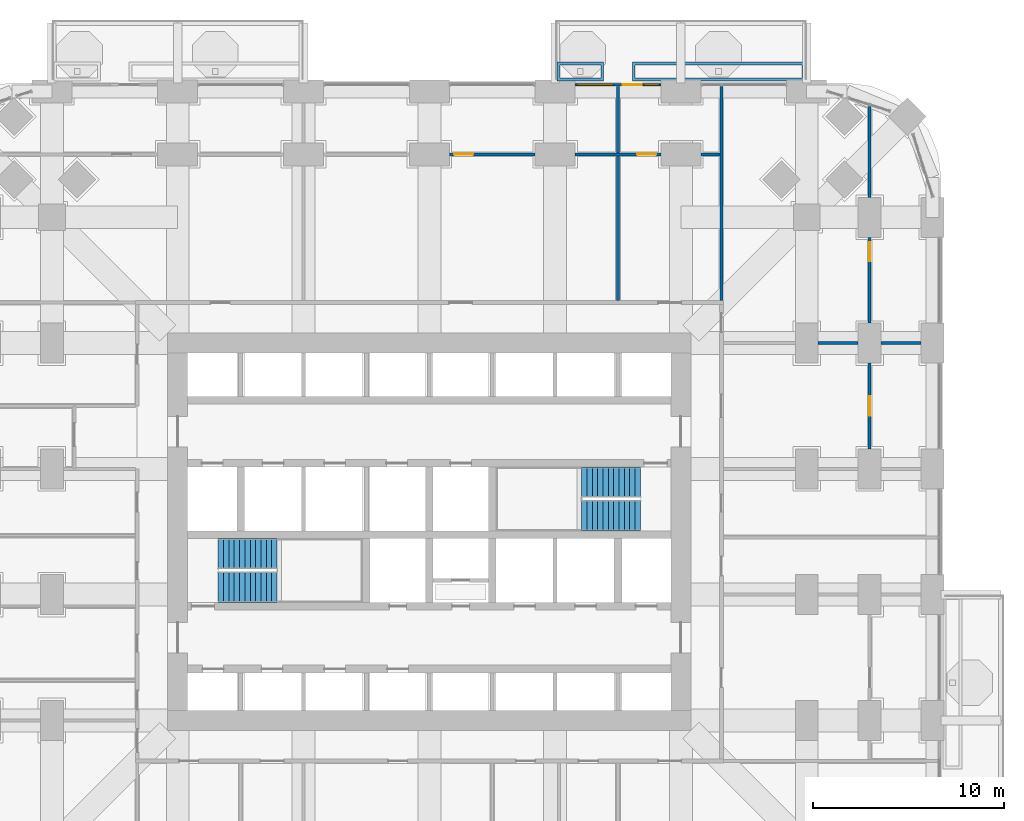
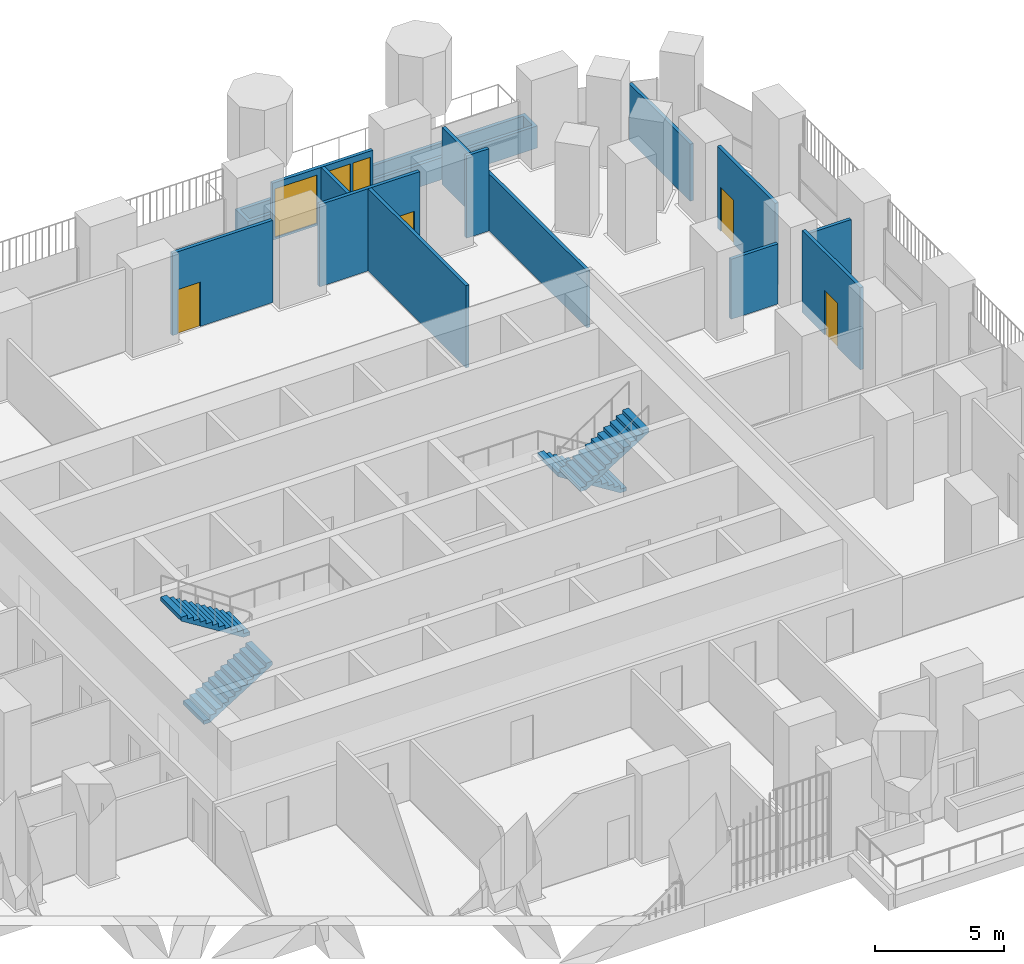
# One storey, part 22 of 27: 14 walls, 5 doors, 4 stair flights, 2 windows, 7 openings, 2 elements without a shape of their own.
"""IFC4 building model written with IfcOpenShell, lengths in metres."""

from ifc_helpers import new_model, si_unit, direction, frame, frame_2d, origin, place, context, subcontext, project, spatial, polyline, rectangle, outline, extrude, material, layer, layer_set, type_object, element, fill, aggregate, save


model = new_model("IFC4")

# Units and contexts
model_context = context("Model", 3, precision=1e-05, world=origin(), true_north=direction((0.0, 1.0)))
body_context = subcontext(model_context, "Body", "Model", "MODEL_VIEW")
ifc_project = project(units=[si_unit("LENGTHUNIT", "METRE"), si_unit("AREAUNIT", "SQUARE_METRE"), si_unit("VOLUMEUNIT", "CUBIC_METRE"), si_unit("PLANEANGLEUNIT", "RADIAN"), si_unit("MASSUNIT", "GRAM", prefix="KILO")], contexts=[model_context])

# Site, building, storey
site_placement = place(None, origin())
site = spatial("IfcSite", under=ifc_project, at=site_placement, CompositionType="ELEMENT")
building_placement = place(site_placement, origin())
building = spatial("IfcBuilding", under=site, at=building_placement, Name="Cobogo Forest Laboratory Tower", CompositionType="ELEMENT")
storey_placement = place(building_placement, frame((0.0, 0.0, 46.5)))
storey = spatial("IfcBuildingStorey", under=building, at=storey_placement, Name="L10", CompositionType="ELEMENT", Elevation=46.5)

# Wall, openings, door, windows
ifc_material_1 = material(Name="Aluminium framed glazed screen", Category="aluminium")
ifc_layer_1 = layer(ifc_material_1, 0.14990234375)
ifc_layer_set_1 = layer_set([ifc_layer_1], Name="GS1 glazed door screen 150")
wall_type_1 = type_object("IfcWallType", Name="GS1 glazed door screen 150", PredefinedType="SOLIDWALL", material=ifc_layer_set_1)
wall_1_placement = place(storey_placement, frame((38.550048828125, 46.550048828125, 0.0), z_axis=(0.0, 0.0, 1.0), x_axis=(-1.0, 0.0, 0.0)))
wall_1 = element("IfcWall", 1, at=wall_1_placement, inside=storey, type_object=wall_type_1, Name="Door screen BAL-N2 L10", PredefinedType="SOLIDWALL", context=body_context, shape_type="SweptSolid", body=[
    extrude(rectangle(XDim=4.5, YDim=0.14990234375, at=frame_2d((2.25, 0.0))), origin(), (0.0, 0.0, 1.0), 2.699951171875),
])
opening_1_placement = place(wall_1_placement, frame((1.0, 0.0, 0.0)))
opening_1 = element("IfcOpeningElement", 2, at=opening_1_placement, cuts=wall_1, Name="Opening L10-D49", PredefinedType="OPENING", context=body_context, shape_type="SweptSolid", body=[
    extrude(rectangle(XDim=1.0, YDim=2.39990234375, at=frame_2d((0.5, 1.199951171875))), frame((0.0, 0.0849609375, 0.0), z_axis=(0.0, -1.0, 0.0), x_axis=(1.0, 0.0, 0.0)), (0.0, 0.0, 1.0), 0.169921875),
])
opening_2_placement = place(wall_1_placement, frame((0.10009765625, 0.0, 0.10009765625)))
opening_2 = element("IfcOpeningElement", 3, at=opening_2_placement, cuts=wall_1, Name="Opening L10-W12", PredefinedType="OPENING", context=body_context, shape_type="SweptSolid", body=[
    extrude(rectangle(XDim=0.800048828125, YDim=2.300048828125, at=frame_2d((0.39990234375, 1.14990234375))), frame((0.0, 0.0849609375, 0.0), z_axis=(0.0, -1.0, 0.0), x_axis=(1.0, 0.0, 0.0)), (0.0, 0.0, 1.0), 0.169921875),
])
opening_3_placement = place(wall_1_placement, frame((2.5, 0.0, 0.10009765625)))
opening_3 = element("IfcOpeningElement", 4, at=opening_3_placement, cuts=wall_1, Name="Opening L10-W11", PredefinedType="OPENING", context=body_context, shape_type="SweptSolid", body=[
    extrude(rectangle(XDim=1.89990234375, YDim=2.300048828125, at=frame_2d((0.949951171875, 1.14990234375))), frame((0.0, 0.0849609375, 0.0), z_axis=(0.0, -1.0, 0.0), x_axis=(1.0, 0.0, 0.0)), (0.0, 0.0, 1.0), 0.169921875),
])
ifc_material_2 = material(Name="Aluminium glazed door", Category="aluminium")
door_type_1 = type_object("IfcDoorType", Name="DB1 balcony door 1000 glazed", OperationType="SINGLE_SWING_LEFT", PredefinedType="DOOR", material=ifc_material_2)
door_1_placement = place(opening_1_placement, origin())
door_1 = element("IfcDoor", 5, at=door_1_placement, inside=storey, type_object=door_type_1, Name="Door L10-BAL-N2", OperationType="SINGLE_SWING_LEFT", OverallHeight=2.39990234375, OverallWidth=1.0, PredefinedType="DOOR", context=body_context, shape_type="SweptSolid", body=[
    extrude(rectangle(XDim=1.0, YDim=2.39990234375, at=frame_2d((0.5, 1.199951171875))), frame((0.0, 0.02490234375, 0.0), z_axis=(0.0, -1.0, 0.0), x_axis=(1.0, 0.0, 0.0)), (0.0, 0.0, 1.0), 0.050048828125),
])
fill(opening_1, door_1)
ifc_material_3 = material(Name="Aluminium framed glazing", Category="aluminium")
window_type_1 = type_object("IfcWindowType", Name="WG3 fixed glazed light 1900x2300", PartitioningType="SINGLE_PANEL", PredefinedType="WINDOW", material=ifc_material_3)
window_1_placement = place(opening_3_placement, origin())
window_1 = element("IfcWindow", 6, at=window_1_placement, inside=storey, type_object=window_type_1, Name="Window L10-BAL-N2-2", OverallHeight=2.300048828125, OverallWidth=1.89990234375, PartitioningType="SINGLE_PANEL", PredefinedType="WINDOW", context=body_context, shape_type="SweptSolid", body=[
    extrude(rectangle(XDim=1.89990234375, YDim=2.300048828125, at=frame_2d((0.949951171875, 1.14990234375))), frame((0.0, 0.030029296875, 0.0), z_axis=(0.0, -1.0, 0.0), x_axis=(1.0, 0.0, 0.0)), (0.0, 0.0, 1.0), 0.06005859375),
])
fill(opening_3, window_1)
window_type_2 = type_object("IfcWindowType", Name="WG4 fixed glazed light 800x2300", PartitioningType="SINGLE_PANEL", PredefinedType="WINDOW", material=ifc_material_3)
window_2_placement = place(opening_2_placement, origin())
window_2 = element("IfcWindow", 7, at=window_2_placement, inside=storey, type_object=window_type_2, Name="Window L10-BAL-N2-1", OverallHeight=2.300048828125, OverallWidth=0.800048828125, PartitioningType="SINGLE_PANEL", PredefinedType="WINDOW", context=body_context, shape_type="SweptSolid", body=[
    extrude(rectangle(XDim=0.800048828125, YDim=2.300048828125, at=frame_2d((0.39990234375, 1.14990234375))), frame((0.0, 0.030029296875, 0.0), z_axis=(0.0, -1.0, 0.0), x_axis=(1.0, 0.0, 0.0)), (0.0, 0.0, 1.0), 0.06005859375),
])
fill(opening_2, window_2)

# Wall
ifc_material_4 = material(Name="Gypsum board on steel studs", Category="steel")
ifc_layer_2 = layer(ifc_material_4, 0.14990234375)
ifc_layer_set_2 = layer_set([ifc_layer_2], Name="PT1 laboratory partition 150")
wall_type_2 = type_object("IfcWallType", Name="PT1 laboratory partition 150", PredefinedType="PARTITIONING", material=ifc_layer_set_2)
wall_2_placement = place(storey_placement, frame((41.72509765625, 46.469970703125, 0.0), z_axis=(0.0, 0.0, 1.0), x_axis=(0.0, -1.0, 0.0)))
element("IfcWall", 8, at=wall_2_placement, inside=storey, type_object=wall_type_2, Name="Partition PW-NE L10", PredefinedType="PARTITIONING", context=body_context, shape_type="SweptSolid", body=[
    extrude(rectangle(XDim=11.244873046875, YDim=0.14990234375, at=frame_2d((5.62255859375, 0.0))), origin(), (0.0, 0.0, 1.0), 2.699951171875),
])

# Wall, opening, door
wall_3_placement = place(storey_placement, frame((49.5, 27.449951171875, 0.0), z_axis=(0.0, 0.0, 1.0), x_axis=(0.0, 1.0, 0.0)))
wall_3 = element("IfcWall", 9, at=wall_3_placement, inside=storey, type_object=wall_type_2, Name="Partition STRIP-E-3 L10", PredefinedType="PARTITIONING", context=body_context, shape_type="SweptSolid", body=[
    extrude(rectangle(XDim=4.5, YDim=0.14990234375, at=frame_2d((2.25, 0.0))), origin(), (0.0, 0.0, 1.0), 3.89990234375),
])
opening_4_placement = place(wall_3_placement, frame((1.75, 0.0, 0.0)))
opening_4 = element("IfcOpeningElement", 10, at=opening_4_placement, cuts=wall_3, Name="Opening L10-D37", PredefinedType="OPENING", context=body_context, shape_type="SweptSolid", body=[
    extrude(rectangle(XDim=1.0, YDim=2.10009765625, at=frame_2d((0.5, 1.050048828125))), frame((0.0, 0.0849609375, 0.0), z_axis=(0.0, -1.0, 0.0), x_axis=(1.0, 0.0, 0.0)), (0.0, 0.0, 1.0), 0.169921875),
])
ifc_material_5 = material(Name="Timber fire door", Category="wood")
door_type_2 = type_object("IfcDoorType", Name="FD2 fire door 1000 EI2 30", OperationType="SINGLE_SWING_LEFT", PredefinedType="DOOR", material=ifc_material_5)
door_2_placement = place(opening_4_placement, origin())
door_2 = element("IfcDoor", 11, at=door_2_placement, inside=storey, type_object=door_type_2, Name="Door L10-E2W", OperationType="SINGLE_SWING_LEFT", OverallHeight=2.10009765625, OverallWidth=1.0, PredefinedType="DOOR", context=body_context, shape_type="SweptSolid", body=[
    extrude(rectangle(XDim=1.0, YDim=2.10009765625, at=frame_2d((0.5, 1.050048828125))), frame((0.0, 0.02490234375, 0.0), z_axis=(0.0, -1.0, 0.0), x_axis=(1.0, 0.0, 0.0)), (0.0, 0.0, 1.0), 0.050048828125),
])
fill(opening_4, door_2)

wall_4_placement = place(storey_placement, frame((49.5, 34.050048828125, 0.0), z_axis=(0.0, 0.0, 1.0), x_axis=(0.0, 1.0, 0.0)))
wall_4 = element("IfcWall", 12, at=wall_4_placement, inside=storey, type_object=wall_type_2, Name="Partition STRIP-E-4 L10", PredefinedType="PARTITIONING", context=body_context, shape_type="SweptSolid", body=[
    extrude(rectangle(XDim=4.5, YDim=0.14990234375, at=frame_2d((2.25, 0.0))), origin(), (0.0, 0.0, 1.0), 3.89990234375),
])
opening_5_placement = place(wall_4_placement, frame((3.25, 0.0, 0.0)))
opening_5 = element("IfcOpeningElement", 13, at=opening_5_placement, cuts=wall_4, Name="Opening L10-D44", PredefinedType="OPENING", context=body_context, shape_type="SweptSolid", body=[
    extrude(rectangle(XDim=1.0, YDim=2.10009765625, at=frame_2d((0.5, 1.050048828125))), frame((0.0, 0.0849609375, 0.0), z_axis=(0.0, -1.0, 0.0), x_axis=(1.0, 0.0, 0.0)), (0.0, 0.0, 1.0), 0.169921875),
])
door_3_placement = place(opening_5_placement, origin())
door_3 = element("IfcDoor", 14, at=door_3_placement, inside=storey, type_object=door_type_2, Name="Door L10-E3W", OperationType="SINGLE_SWING_RIGHT", OverallHeight=2.10009765625, OverallWidth=1.0, PredefinedType="DOOR", context=body_context, shape_type="SweptSolid", body=[
    extrude(rectangle(XDim=1.0, YDim=2.10009765625, at=frame_2d((0.5, 1.050048828125))), frame((0.0, 0.02490234375, 0.0), z_axis=(0.0, -1.0, 0.0), x_axis=(1.0, 0.0, 0.0)), (0.0, 0.0, 1.0), 0.050048828125),
])
fill(opening_5, door_3)

# Walls
wall_5_placement = place(storey_placement, frame((49.5, 40.64990234375, 0.0), z_axis=(0.0, 0.0, 1.0), x_axis=(0.0, 1.0, 0.0)))
element("IfcWall", 15, at=wall_5_placement, inside=storey, type_object=wall_type_2, Name="Partition STRIP-E-5 L10", PredefinedType="PARTITIONING", context=body_context, shape_type="SweptSolid", body=[
    extrude(rectangle(XDim=4.774169921875, YDim=0.14990234375, at=frame_2d((2.38720703125, 0.0))), origin(), (0.0, 0.0, 1.0), 2.699951171875),
])
for number, where, z_axis, x_axis, name in (
    (16, (52.199951171875, 33.0, 0.0), (0.0, 0.0, 1.0), (-1.0, 0.0, 0.0), "Partition CUT-E33-1 L10"),
    (17, (48.89990234375, 33.0, 0.0), (0.0, 0.0, 1.0), (-1.0, 0.0, 0.0), "Partition CUT-E33-2 L10"),
):
    element("IfcWall", number, at=place(storey_placement, frame(where, z_axis=z_axis, x_axis=x_axis)), inside=storey, type_object=wall_type_2, Name=name, PredefinedType="PARTITIONING", context=body_context, shape_type="SweptSolid", body=[
        extrude(rectangle(XDim=2.099853515625, YDim=0.14990234375, at=frame_2d((1.0498046875, 0.0))), origin(), (0.0, 0.0, 1.0), 2.85009765625),
    ])
wall_6_placement = place(storey_placement, frame((41.64990234375, 42.89990234375, 0.0), z_axis=(0.0, 0.0, 1.0), x_axis=(-1.0, 0.0, 0.0)))
element("IfcWall", 18, at=wall_6_placement, inside=storey, type_object=wall_type_2, Name="Partition STRIP-N-1 L10", PredefinedType="PARTITIONING", context=body_context, shape_type="SweptSolid", body=[
    extrude(rectangle(XDim=1.0, YDim=0.14990234375, at=frame_2d((0.5, 0.0))), origin(), (0.0, 0.0, 1.0), 3.89990234375),
])

# Wall, opening, door
wall_7_placement = place(storey_placement, frame((38.550048828125, 42.89990234375, 0.0), z_axis=(0.0, 0.0, 1.0), x_axis=(-1.0, 0.0, 0.0)))
wall_7 = element("IfcWall", 19, at=wall_7_placement, inside=storey, type_object=wall_type_2, Name="Partition STRIP-N-2 L10", PredefinedType="PARTITIONING", context=body_context, shape_type="SweptSolid", body=[
    extrude(rectangle(XDim=4.5, YDim=0.14990234375, at=frame_2d((2.25, 0.0))), origin(), (0.0, 0.0, 1.0), 3.89990234375),
])
opening_6_placement = place(wall_7_placement, frame((0.25, 0.0, 0.0)))
opening_6 = element("IfcOpeningElement", 20, at=opening_6_placement, cuts=wall_7, Name="Opening L10-D47", PredefinedType="OPENING", context=body_context, shape_type="SweptSolid", body=[
    extrude(rectangle(XDim=1.0, YDim=2.10009765625, at=frame_2d((0.5, 1.050048828125))), frame((0.0, 0.0849609375, 0.0), z_axis=(0.0, -1.0, 0.0), x_axis=(1.0, 0.0, 0.0)), (0.0, 0.0, 1.0), 0.169921875),
])
door_4_placement = place(opening_6_placement, origin())
door_4 = element("IfcDoor", 21, at=door_4_placement, inside=storey, type_object=door_type_2, Name="Door L10-N3W", OperationType="SINGLE_SWING_LEFT", OverallHeight=2.10009765625, OverallWidth=1.0, PredefinedType="DOOR", context=body_context, shape_type="SweptSolid", body=[
    extrude(rectangle(XDim=1.0, YDim=2.10009765625, at=frame_2d((0.5, 1.050048828125))), frame((0.0, 0.02490234375, 0.0), z_axis=(0.0, -1.0, 0.0), x_axis=(1.0, 0.0, 0.0)), (0.0, 0.0, 1.0), 0.050048828125),
])
fill(opening_6, door_4)

wall_8_placement = place(storey_placement, frame((31.949951171875, 42.89990234375, 0.0), z_axis=(0.0, 0.0, 1.0), x_axis=(-1.0, 0.0, 0.0)))
wall_8 = element("IfcWall", 22, at=wall_8_placement, inside=storey, type_object=wall_type_2, Name="Partition STRIP-N-3 L10", PredefinedType="PARTITIONING", context=body_context, shape_type="SweptSolid", body=[
    extrude(rectangle(XDim=4.5, YDim=0.14990234375, at=frame_2d((2.25, 0.0))), origin(), (0.0, 0.0, 1.0), 3.89990234375),
])
opening_7_placement = place(wall_8_placement, frame((3.25, 0.0, 0.0)))
opening_7 = element("IfcOpeningElement", 23, at=opening_7_placement, cuts=wall_8, Name="Opening L10-D46", PredefinedType="OPENING", context=body_context, shape_type="SweptSolid", body=[
    extrude(rectangle(XDim=1.0, YDim=2.10009765625, at=frame_2d((0.5, 1.050048828125))), frame((0.0, 0.0849609375, 0.0), z_axis=(0.0, -1.0, 0.0), x_axis=(1.0, 0.0, 0.0)), (0.0, 0.0, 1.0), 0.169921875),
])
door_5_placement = place(opening_7_placement, origin())
door_5 = element("IfcDoor", 24, at=door_5_placement, inside=storey, type_object=door_type_2, Name="Door L10-N2W", OperationType="SINGLE_SWING_RIGHT", OverallHeight=2.10009765625, OverallWidth=1.0, PredefinedType="DOOR", context=body_context, shape_type="SweptSolid", body=[
    extrude(rectangle(XDim=1.0, YDim=2.10009765625, at=frame_2d((0.5, 1.050048828125))), frame((0.0, 0.02490234375, 0.0), z_axis=(0.0, -1.0, 0.0), x_axis=(1.0, 0.0, 0.0)), (0.0, 0.0, 1.0), 0.050048828125),
])
fill(opening_7, door_5)

# Walls
wall_9_placement = place(storey_placement, frame((36.300048828125, 46.469970703125, 0.0), z_axis=(0.0, 0.0, 1.0), x_axis=(0.0, -1.0, 0.0)))
element("IfcWall", 25, at=wall_9_placement, inside=storey, type_object=wall_type_2, Name="Partition CUT-N36.3a-1 L10", PredefinedType="PARTITIONING", context=body_context, shape_type="SweptSolid", body=[
    extrude(rectangle(XDim=3.494873046875, YDim=0.14990234375, at=frame_2d((1.74755859375, 0.0))), origin(), (0.0, 0.0, 1.0), 2.699951171875),
])
wall_10_placement = place(storey_placement, frame((36.300048828125, 42.824951171875, 0.0), z_axis=(0.0, 0.0, 1.0), x_axis=(0.0, -1.0, 0.0)))
element("IfcWall", 26, at=wall_10_placement, inside=storey, type_object=wall_type_2, Name="Partition CUT-N36.3b-1 L10", PredefinedType="PARTITIONING", context=body_context, shape_type="SweptSolid", body=[
    extrude(rectangle(XDim=7.599853515625, YDim=0.14990234375, at=frame_2d((3.7998046875, 0.0))), origin(), (0.0, 0.0, 1.0), 3.89990234375),
])
ifc_material_6 = material(Name="Concrete HA-40 (C40/50)", Category="concrete")
ifc_layer_3 = layer(ifc_material_6, 0.14990234375)
ifc_layer_set_3 = layer_set([ifc_layer_3], Name="Planter box 1000x1050")
wall_type_3 = type_object("IfcWallType", Name="Planter box 1000x1050", PredefinedType="USERDEFINED", material=ifc_layer_set_3)
wall_11_placement = place(storey_placement, origin())
element("IfcWall", 27, at=wall_11_placement, inside=storey, type_object=wall_type_3, Name="Planter BAL-N2-1 L10", ObjectType="PLANTER", PredefinedType="USERDEFINED", context=body_context, shape_type="SweptSolid", body=[
    extrude(outline(polyline([(33.10009765625, 46.75), (35.550048828125, 46.75), (35.550048828125, 47.75), (33.10009765625, 47.75), (33.10009765625, 46.75)]), holes=[polyline([(33.25, 46.89990234375), (35.39990234375, 46.89990234375), (35.39990234375, 47.60009765625), (33.25, 47.60009765625), (33.25, 46.89990234375)])]), origin(), (0.0, 0.0, 1.0), 1.050048828125),
])
wall_12_placement = place(storey_placement, origin())
element("IfcWall", 28, at=wall_12_placement, inside=storey, type_object=wall_type_3, Name="Planter BAL-N2-2 L10", ObjectType="PLANTER", PredefinedType="USERDEFINED", context=body_context, shape_type="SweptSolid", body=[
    extrude(outline(polyline([(37.050048828125, 46.75), (46.10009765625, 46.75), (46.10009765625, 47.75), (37.050048828125, 47.75), (37.050048828125, 46.75)]), holes=[polyline([(37.199951171875, 46.89990234375), (45.949951171875, 46.89990234375), (45.949951171875, 47.60009765625), (37.199951171875, 47.60009765625), (37.199951171875, 46.89990234375)])]), origin(), (0.0, 0.0, 1.0), 1.050048828125),
])

# Stair, stair flights
ifc_material_7 = material(Name="Precast concrete HA-40 (C40/50)", Category="concrete")
stair_type = type_object("IfcStairType", Name="ST24 exit stair 24 risers", PredefinedType="HALF_TURN_STAIR", material=ifc_material_7)
stair_1_placement = place(storey_placement, origin())
stair_1 = element("IfcStair", 29, at=stair_1_placement, inside=storey, type_object=stair_type, Name="Stair 1 L10 to L11", PredefinedType="HALF_TURN_STAIR")
stair_flight_type = type_object("IfcStairFlightType", Name="ST stair flight 280 going", PredefinedType="STRAIGHT", material=ifc_material_7)
stair_flight_1_placement = place(storey_placement, frame((15.324951171875, 20.199951171875, 0.0), z_axis=(0.0, 0.0, 1.0), x_axis=(1.0, 0.0, 0.0)))
stair_flight_1 = element("IfcStairFlight", 30, at=stair_flight_1_placement, type_object=stair_flight_type, Name="ST1 flight 1", NumberOfRisers=12, NumberOfTreads=11, PredefinedType="STRAIGHT", RiserHeight=0.175, TreadLength=0.28, context=body_context, shape_type="SweptSolid", body=[
    extrude(outline(polyline([(0.0, 0.0), (0.0, 0.175048828125), (0.280029296875, 0.175048828125), (0.280029296875, 0.35009765625), (0.56005859375, 0.35009765625), (0.56005859375, 0.52490234375), (0.840087890625, 0.52490234375), (0.840087890625, 0.699951171875), (1.1201171875, 0.699951171875), (1.1201171875, 0.875), (1.39990234375, 0.875), (1.39990234375, 1.050048828125), (1.679931640625, 1.050048828125), (1.679931640625, 1.22509765625), (1.9599609375, 1.22509765625), (1.9599609375, 1.39990234375), (2.239990234375, 1.39990234375), (2.239990234375, 1.574951171875), (2.52001953125, 1.574951171875), (2.52001953125, 1.75), (2.800048828125, 1.75), (2.800048828125, 1.925048828125), (3.080078125, 1.925048828125), (3.080078125, 2.10009765625), (3.080078125, 1.748291015625), (0.28271484375, 0.0), (0.0, 0.0)])), frame((0.0, 0.800048828125, 0.0), z_axis=(0.0, -1.0, 0.0), x_axis=(1.0, 0.0, 0.0)), (0.0, 0.0, 1.0), 1.60009765625),
])
stair_flight_2_placement = place(storey_placement, frame((18.405029296875, 21.949951171875, 2.10009765625), z_axis=(0.0, 0.0, 1.0), x_axis=(-1.0, 0.0, 0.0)))
stair_flight_2 = element("IfcStairFlight", 31, at=stair_flight_2_placement, type_object=stair_flight_type, Name="ST1 flight 2", NumberOfRisers=12, NumberOfTreads=11, PredefinedType="STRAIGHT", RiserHeight=0.175, TreadLength=0.28, context=body_context, shape_type="SweptSolid", body=[
    extrude(outline(polyline([(0.0, 0.0), (0.0, 0.175048828125), (0.280029296875, 0.175048828125), (0.280029296875, 0.35009765625), (0.56005859375, 0.35009765625), (0.56005859375, 0.52490234375), (0.840087890625, 0.52490234375), (0.840087890625, 0.699951171875), (1.1201171875, 0.699951171875), (1.1201171875, 0.875), (1.39990234375, 0.875), (1.39990234375, 1.050048828125), (1.679931640625, 1.050048828125), (1.679931640625, 1.22509765625), (1.9599609375, 1.22509765625), (1.9599609375, 1.39990234375), (2.239990234375, 1.39990234375), (2.239990234375, 1.574951171875), (2.52001953125, 1.574951171875), (2.52001953125, 1.75), (2.800048828125, 1.75), (2.800048828125, 1.925048828125), (3.080078125, 1.925048828125), (3.080078125, 2.10009765625), (3.080078125, 1.748291015625), (0.28271484375, 0.0), (0.0, 0.0)])), frame((0.0, 0.800048828125, 0.0), z_axis=(0.0, -1.0, 0.0), x_axis=(1.0, 0.0, 0.0)), (0.0, 0.0, 1.0), 1.60009765625),
])
aggregate(stair_1, [stair_flight_1, stair_flight_2])

stair_2_placement = place(storey_placement, origin())
stair_2 = element("IfcStair", 32, at=stair_2_placement, inside=storey, type_object=stair_type, Name="Stair 2 L10 to L11", PredefinedType="HALF_TURN_STAIR")
stair_flight_3_placement = place(storey_placement, frame((37.47509765625, 25.699951171875, 0.0), z_axis=(0.0, 0.0, 1.0), x_axis=(-1.0, 0.0, 0.0)))
stair_flight_3 = element("IfcStairFlight", 33, at=stair_flight_3_placement, type_object=stair_flight_type, Name="ST2 flight 1", NumberOfRisers=12, NumberOfTreads=11, PredefinedType="STRAIGHT", RiserHeight=0.175, TreadLength=0.28, context=body_context, shape_type="SweptSolid", body=[
    extrude(outline(polyline([(0.0, 0.0), (0.0, 0.175048828125), (0.280029296875, 0.175048828125), (0.280029296875, 0.35009765625), (0.56005859375, 0.35009765625), (0.56005859375, 0.52490234375), (0.840087890625, 0.52490234375), (0.840087890625, 0.699951171875), (1.1201171875, 0.699951171875), (1.1201171875, 0.875), (1.39990234375, 0.875), (1.39990234375, 1.050048828125), (1.679931640625, 1.050048828125), (1.679931640625, 1.22509765625), (1.9599609375, 1.22509765625), (1.9599609375, 1.39990234375), (2.239990234375, 1.39990234375), (2.239990234375, 1.574951171875), (2.52001953125, 1.574951171875), (2.52001953125, 1.75), (2.800048828125, 1.75), (2.800048828125, 1.925048828125), (3.080078125, 1.925048828125), (3.080078125, 2.10009765625), (3.080078125, 1.748291015625), (0.28271484375, 0.0), (0.0, 0.0)])), frame((0.0, 0.800048828125, 0.0), z_axis=(0.0, -1.0, 0.0), x_axis=(1.0, 0.0, 0.0)), (0.0, 0.0, 1.0), 1.60009765625),
])
stair_flight_4_placement = place(storey_placement, frame((34.39501953125, 23.949951171875, 2.10009765625), z_axis=(0.0, 0.0, 1.0), x_axis=(1.0, 0.0, 0.0)))
stair_flight_4 = element("IfcStairFlight", 34, at=stair_flight_4_placement, type_object=stair_flight_type, Name="ST2 flight 2", NumberOfRisers=12, NumberOfTreads=11, PredefinedType="STRAIGHT", RiserHeight=0.175, TreadLength=0.28, context=body_context, shape_type="SweptSolid", body=[
    extrude(outline(polyline([(0.0, 0.0), (0.0, 0.175048828125), (0.280029296875, 0.175048828125), (0.280029296875, 0.35009765625), (0.56005859375, 0.35009765625), (0.56005859375, 0.52490234375), (0.840087890625, 0.52490234375), (0.840087890625, 0.699951171875), (1.1201171875, 0.699951171875), (1.1201171875, 0.875), (1.39990234375, 0.875), (1.39990234375, 1.050048828125), (1.679931640625, 1.050048828125), (1.679931640625, 1.22509765625), (1.9599609375, 1.22509765625), (1.9599609375, 1.39990234375), (2.239990234375, 1.39990234375), (2.239990234375, 1.574951171875), (2.52001953125, 1.574951171875), (2.52001953125, 1.75), (2.800048828125, 1.75), (2.800048828125, 1.925048828125), (3.080078125, 1.925048828125), (3.080078125, 2.10009765625), (3.080078125, 1.748291015625), (0.28271484375, 0.0), (0.0, 0.0)])), frame((0.0, 0.800048828125, 0.0), z_axis=(0.0, -1.0, 0.0), x_axis=(1.0, 0.0, 0.0)), (0.0, 0.0, 1.0), 1.60009765625),
])
aggregate(stair_2, [stair_flight_3, stair_flight_4])

save(model, "model.ifc")
